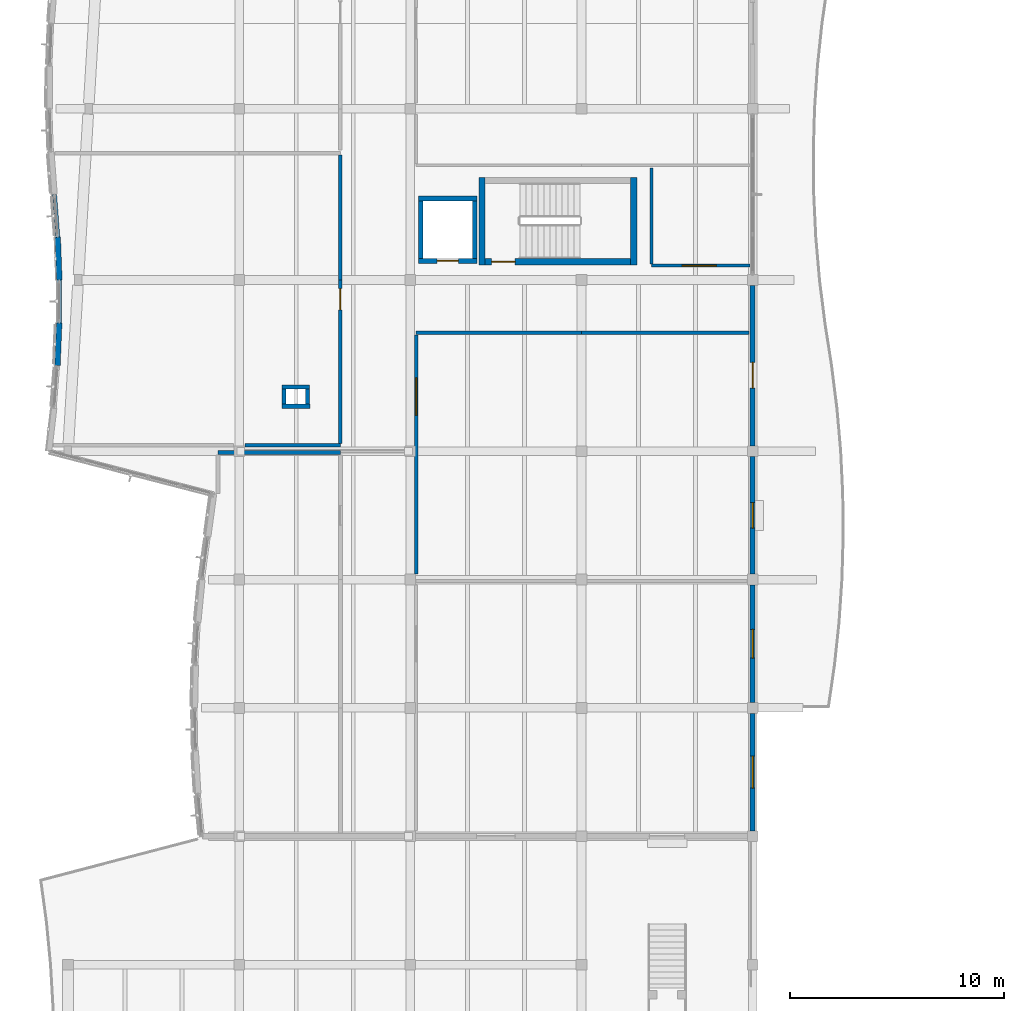
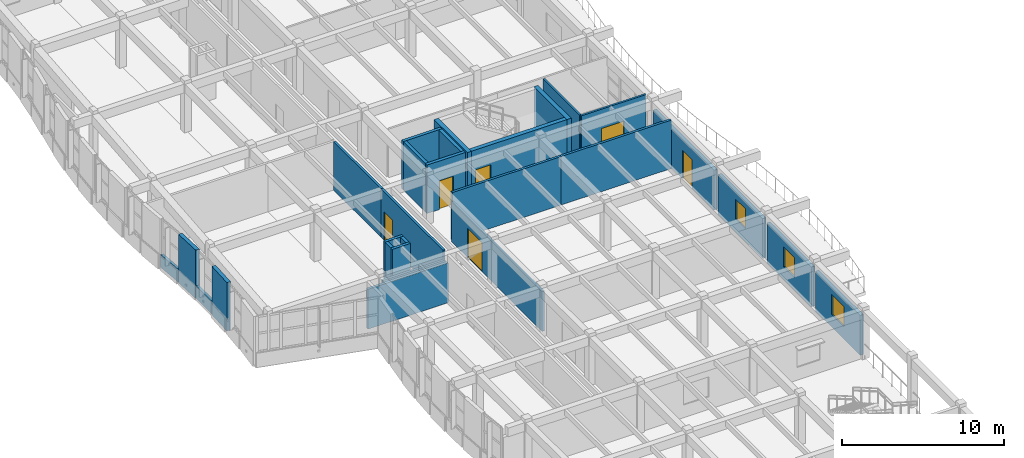
# One storey, part 57 of 89: 28 walls, 6 doors, 3 windows, 9 openings.
"""IFC4 building model written with IfcOpenShell, lengths in metres."""

from ifc_helpers import new_model, si_unit, direction, frame, frame_2d, origin, place, context, subcontext, project, spatial, rectangle, extrude, material, layer, layer_set, type_object, element, fill, save


model = new_model("IFC4")

# Units and contexts
model_context = context("Model", 3, precision=1e-05, world=origin(), true_north=direction((0.0, 1.0)))
body_context = subcontext(model_context, "Body", "Model", "MODEL_VIEW")
ifc_project = project(units=[si_unit("LENGTHUNIT", "METRE"), si_unit("AREAUNIT", "SQUARE_METRE"), si_unit("VOLUMEUNIT", "CUBIC_METRE"), si_unit("PLANEANGLEUNIT", "RADIAN"), si_unit("MASSUNIT", "GRAM", prefix="KILO")], contexts=[model_context])

# Site, building, storey
site_placement = place(None, origin())
site = spatial("IfcSite", under=ifc_project, at=site_placement, CompositionType="ELEMENT")
building_placement = place(site_placement, origin())
building = spatial("IfcBuilding", under=site, at=building_placement, Name="Tonlespit Floodbar School", CompositionType="ELEMENT")
storey_placement = place(building_placement, frame((0.0, 0.0, 4.5)))
storey = spatial("IfcBuildingStorey", under=building, at=storey_placement, Name="L01", CompositionType="ELEMENT", Elevation=4.5)

# Walls
ifc_material_1 = material(Name="Concrete C40/50", Category="concrete")
ifc_layer_1 = layer(ifc_material_1, 0.300048828125)
ifc_layer_set_1 = layer_set([ifc_layer_1], Name="Concrete C40/50")
wall_type_1 = type_object("IfcWallType", Name="CoreWall_RC_300", PredefinedType="SHEAR", material=ifc_layer_set_1)
for number, where, z_axis, x_axis, name in (
    (1, (23.35009765625, 64.699951171875, 0.0), (0.0, 0.0, 1.0), (0.0, 1.0, 0.0), "L01 core C3 shear wall NEAR"),
    (2, (30.449951171875, 68.800048828125, 0.0), (0.0, 0.0, 1.0), (0.0, -1.0, 0.0), "L01 core C3 shear wall FAR"),
):
    element("IfcWall", number, at=place(storey_placement, frame(where, z_axis=z_axis, x_axis=x_axis)), inside=storey, type_object=wall_type_1, Name=name, PredefinedType="SHEAR", context=body_context, shape_type="SweptSolid", body=[
        extrude(rectangle(XDim=4.10009765625, YDim=0.300048828125, at=frame_2d((2.050048828125, 0.0))), origin(), (0.0, 0.0, 1.0), 3.64990234375),
    ])

# Wall, opening, door
wall_1_placement = place(storey_placement, frame((23.5, 64.85009765625, 0.0), z_axis=(0.0, 0.0, 1.0), x_axis=(1.0, 0.0, 0.0)))
wall_1 = element("IfcWall", 3, at=wall_1_placement, inside=storey, type_object=wall_type_1, Name="L01 core C3 shear wall LEFT", PredefinedType="SHEAR", context=body_context, shape_type="SweptSolid", body=[
    extrude(rectangle(XDim=6.800048828125, YDim=0.300048828125, at=frame_2d((3.39990234375, 0.0))), origin(), (0.0, 0.0, 1.0), 3.64990234375),
])
opening_1_placement = place(wall_1_placement, frame((0.300048828125, 0.0, 0.0)))
opening_1 = element("IfcOpeningElement", 4, at=opening_1_placement, cuts=wall_1, Name="Opening FD1-C3-L01", PredefinedType="OPENING", context=body_context, shape_type="SweptSolid", body=[
    extrude(rectangle(XDim=1.10009765625, YDim=2.14990234375, at=frame_2d((0.550048828125, 1.074951171875))), frame((0.0, 0.159912109375, 0.0), z_axis=(0.0, -1.0, 0.0), x_axis=(1.0, 0.0, 0.0)), (0.0, 0.0, 1.0), 0.320068359375),
])
ifc_material_2 = material(Name="Galvanised Steel", Category="steel")
door_type_1 = type_object("IfcDoorType", Name="FireDoor_Stair_1100x2150", OperationType="NOTDEFINED", PredefinedType="DOOR", material=ifc_material_2)
door_1_placement = place(opening_1_placement, origin())
door_1 = element("IfcDoor", 5, at=door_1_placement, inside=storey, type_object=door_type_1, Name="L01 stair ST-C3 fire door", OperationType="SINGLE_SWING_RIGHT", OverallHeight=2.14990234375, OverallWidth=1.10009765625, PredefinedType="DOOR", context=body_context, shape_type="SweptSolid", body=[
    extrude(rectangle(XDim=1.10009765625, YDim=2.14990234375, at=frame_2d((0.550048828125, 1.074951171875))), frame((0.0, 0.02490234375, 0.0), z_axis=(0.0, -1.0, 0.0), x_axis=(1.0, 0.0, 0.0)), (0.0, 0.0, 1.0), 0.050048828125),
])
fill(opening_1, door_1)

ifc_material_3 = material(Name="Precast concrete C40/50", Category="concrete")
ifc_layer_2 = layer(ifc_material_3, 0.239990234375)
ifc_layer_set_2 = layer_set([ifc_layer_2], Name="Precast concrete C40/50")
wall_type_2 = type_object("IfcWallType", Name="ExtWall_Rainscreen_240", PredefinedType="SOLIDWALL", material=ifc_layer_set_2)
wall_2_placement = place(storey_placement, frame((36.0, 63.75, 0.0), z_axis=(0.0, 0.0, 1.0), x_axis=(0.0, -1.0, 0.0)))
wall_2 = element("IfcWall", 6, at=wall_2_placement, inside=storey, type_object=wall_type_2, Name="L01 external wall 0372", PredefinedType="SOLIDWALL", context=body_context, shape_type="SweptSolid", body=[
    extrude(rectangle(XDim=7.5, YDim=0.239990234375, at=frame_2d((3.75, 0.0))), origin(), (0.0, 0.0, 1.0), 3.0),
])
opening_2_placement = place(wall_2_placement, frame((3.60009765625, 0.0, 0.0)))
opening_2 = element("IfcOpeningElement", 7, at=opening_2_placement, cuts=wall_2, Name="Opening D-TR-016", PredefinedType="OPENING", context=body_context, shape_type="SweptSolid", body=[
    extrude(rectangle(XDim=1.199951171875, YDim=2.14990234375, at=frame_2d((0.60009765625, 1.074951171875))), frame((0.0, 0.1298828125, 0.0), z_axis=(0.0, -1.0, 0.0), x_axis=(1.0, 0.0, 0.0)), (0.0, 0.0, 1.0), 0.260009765625),
])
ifc_material_4 = material(Name="Anodised Aluminium", Category="aluminium")
door_type_2 = type_object("IfcDoorType", Name="ExtDoor_Terrace_1200x2150", OperationType="NOTDEFINED", PredefinedType="DOOR", material=ifc_material_4)
door_2_placement = place(opening_2_placement, origin())
door_2 = element("IfcDoor", 8, at=door_2_placement, inside=storey, type_object=door_type_2, Name="L01 exterior door D-TR-016", OperationType="SINGLE_SWING_RIGHT", OverallHeight=2.14990234375, OverallWidth=1.199951171875, PredefinedType="DOOR", context=body_context, shape_type="SweptSolid", body=[
    extrude(rectangle(XDim=1.199951171875, YDim=2.14990234375, at=frame_2d((0.60009765625, 1.074951171875))), frame((0.0, 0.02490234375, 0.0), z_axis=(0.0, -1.0, 0.0), x_axis=(1.0, 0.0, 0.0)), (0.0, 0.0, 1.0), 0.050048828125),
])
fill(opening_2, door_2)

# Wall, opening, window
wall_3_placement = place(storey_placement, frame((36.0, 55.75, 0.0), z_axis=(0.0, 0.0, 1.0), x_axis=(0.0, -1.0, 0.0)))
wall_3 = element("IfcWall", 9, at=wall_3_placement, inside=storey, type_object=wall_type_2, Name="L01 external wall 0373", PredefinedType="SOLIDWALL", context=body_context, shape_type="SweptSolid", body=[
    extrude(rectangle(XDim=5.5, YDim=0.239990234375, at=frame_2d((2.75, 0.0))), origin(), (0.0, 0.0, 1.0), 3.0),
])
opening_3_placement = place(wall_3_placement, frame((2.14990234375, 0.0, 0.949951171875)))
opening_3 = element("IfcOpeningElement", 10, at=opening_3_placement, cuts=wall_3, Name="Opening W-L01-033", PredefinedType="OPENING", context=body_context, shape_type="SweptSolid", body=[
    extrude(rectangle(XDim=1.199951171875, YDim=1.5, at=frame_2d((0.60009765625, 0.75))), frame((0.0, 0.1298828125, 0.0), z_axis=(0.0, -1.0, 0.0), x_axis=(1.0, 0.0, 0.0)), (0.0, 0.0, 1.0), 0.260009765625),
])
ifc_material_5 = material(Name="Tempered Double Glazing", Category="glass")
window_type_1 = type_object("IfcWindowType", Name="Win_Mod_1200x1500", PartitioningType="SINGLE_PANEL", PredefinedType="WINDOW", material=ifc_material_5)
window_1_placement = place(opening_3_placement, origin())
window_1 = element("IfcWindow", 11, at=window_1_placement, inside=storey, type_object=window_type_1, Name="L01 window W-L01-033", OverallHeight=1.5, OverallWidth=1.199951171875, PartitioningType="SINGLE_PANEL", PredefinedType="WINDOW", context=body_context, shape_type="SweptSolid", body=[
    extrude(rectangle(XDim=1.199951171875, YDim=1.5, at=frame_2d((0.60009765625, 0.75))), frame((0.0, 0.030029296875, 0.0), z_axis=(0.0, -1.0, 0.0), x_axis=(1.0, 0.0, 0.0)), (0.0, 0.0, 1.0), 0.06005859375),
])
fill(opening_3, window_1)

wall_4_placement = place(storey_placement, frame((36.0, 49.75, 0.0), z_axis=(0.0, 0.0, 1.0), x_axis=(0.0, -1.0, 0.0)))
wall_4 = element("IfcWall", 12, at=wall_4_placement, inside=storey, type_object=wall_type_2, Name="L01 external wall 0374", PredefinedType="SOLIDWALL", context=body_context, shape_type="SweptSolid", body=[
    extrude(rectangle(XDim=5.5, YDim=0.239990234375, at=frame_2d((2.75, 0.0))), origin(), (0.0, 0.0, 1.0), 3.0),
])
opening_4_placement = place(wall_4_placement, frame((2.074951171875, 0.0, 0.949951171875)))
opening_4 = element("IfcOpeningElement", 13, at=opening_4_placement, cuts=wall_4, Name="Opening W-L01-034", PredefinedType="OPENING", context=body_context, shape_type="SweptSolid", body=[
    extrude(rectangle(XDim=1.35009765625, YDim=1.5, at=frame_2d((0.675048828125, 0.75))), frame((0.0, 0.1298828125, 0.0), z_axis=(0.0, -1.0, 0.0), x_axis=(1.0, 0.0, 0.0)), (0.0, 0.0, 1.0), 0.260009765625),
])
window_type_2 = type_object("IfcWindowType", Name="Win_Mod_1350x1500", PartitioningType="SINGLE_PANEL", PredefinedType="WINDOW", material=ifc_material_5)
window_2_placement = place(opening_4_placement, origin())
window_2 = element("IfcWindow", 14, at=window_2_placement, inside=storey, type_object=window_type_2, Name="L01 window W-L01-034", OverallHeight=1.5, OverallWidth=1.35009765625, PartitioningType="SINGLE_PANEL", PredefinedType="WINDOW", context=body_context, shape_type="SweptSolid", body=[
    extrude(rectangle(XDim=1.35009765625, YDim=1.5, at=frame_2d((0.675048828125, 0.75))), frame((0.0, 0.030029296875, 0.0), z_axis=(0.0, -1.0, 0.0), x_axis=(1.0, 0.0, 0.0)), (0.0, 0.0, 1.0), 0.06005859375),
])
fill(opening_4, window_2)

wall_5_placement = place(storey_placement, frame((36.0, 43.75, 0.0), z_axis=(0.0, 0.0, 1.0), x_axis=(0.0, -1.0, 0.0)))
wall_5 = element("IfcWall", 15, at=wall_5_placement, inside=storey, type_object=wall_type_2, Name="L01 external wall 0375", PredefinedType="SOLIDWALL", context=body_context, shape_type="SweptSolid", body=[
    extrude(rectangle(XDim=5.5, YDim=0.239990234375, at=frame_2d((2.75, 0.0))), origin(), (0.0, 0.0, 1.0), 2.998046875),
])
opening_5_placement = place(wall_5_placement, frame((2.0, 0.0, 0.949951171875)))
opening_5 = element("IfcOpeningElement", 16, at=opening_5_placement, cuts=wall_5, Name="Opening W-L01-035", PredefinedType="OPENING", context=body_context, shape_type="SweptSolid", body=[
    extrude(rectangle(XDim=1.5, YDim=1.5, at=frame_2d((0.75, 0.75))), frame((0.0, 0.1298828125, 0.0), z_axis=(0.0, -1.0, 0.0), x_axis=(1.0, 0.0, 0.0)), (0.0, 0.0, 1.0), 0.260009765625),
])
window_type_3 = type_object("IfcWindowType", Name="Win_Mod_1500x1500", PartitioningType="SINGLE_PANEL", PredefinedType="WINDOW", material=ifc_material_5)
window_3_placement = place(opening_5_placement, origin())
window_3 = element("IfcWindow", 17, at=window_3_placement, inside=storey, type_object=window_type_3, Name="L01 window W-L01-035", OverallHeight=1.5, OverallWidth=1.5, PartitioningType="SINGLE_PANEL", PredefinedType="WINDOW", context=body_context, shape_type="SweptSolid", body=[
    extrude(rectangle(XDim=1.5, YDim=1.5, at=frame_2d((0.75, 0.75))), frame((0.0, 0.030029296875, 0.0), z_axis=(0.0, -1.0, 0.0), x_axis=(1.0, 0.0, 0.0)), (0.0, 0.0, 1.0), 0.06005859375),
])
fill(opening_5, window_3)

# Walls
ifc_layer_3 = layer(ifc_material_3, 0.260009765625)
ifc_layer_set_3 = layer_set([ifc_layer_3], Name="Precast concrete C40/50")
wall_type_3 = type_object("IfcWallType", Name="ExtWall_Rainscreen_260", PredefinedType="SOLIDWALL", material=ifc_layer_set_3)
wall_6_placement = place(storey_placement, frame((3.509033203125, 60.0, 0.0), z_axis=(0.0, 0.0, 1.0), x_axis=(0.040737639062, 0.99916987783, 0.0)))
element("IfcWall", 18, at=wall_6_placement, inside=storey, type_object=wall_type_3, Name="L01 external wall 0346", PredefinedType="SOLIDWALL", context=body_context, shape_type="SweptSolid", body=[
    extrude(rectangle(XDim=2.001708984375, YDim=0.260009765625, at=frame_2d((1.0009765625, 0.0))), origin(), (0.0, 0.0, 1.0), 3.64990234375),
])
wall_7_placement = place(storey_placement, frame((3.594970703125, 64.0, 0.0), z_axis=(0.0, 0.0, 1.0), x_axis=(-0.036596562065, 0.999330121454, 0.0)))
element("IfcWall", 19, at=wall_7_placement, inside=storey, type_object=wall_type_3, Name="L01 external wall 0348", PredefinedType="SOLIDWALL", context=body_context, shape_type="SweptSolid", body=[
    extrude(rectangle(XDim=2.001220703125, YDim=0.260009765625, at=frame_2d((1.00048828125, 0.0))), origin(), (0.0, 0.0, 1.0), 3.64990234375),
])
ifc_material_6 = material(Name="White Architectural Precast concrete C40/50", Category="concrete")
ifc_layer_4 = layer(ifc_material_6, 0.199951171875)
ifc_layer_set_4 = layer_set([ifc_layer_4], Name="White Architectural Precast concrete C40/50")
wall_type_4 = type_object("IfcWallType", Name="ExtWall_Spandrel_White_200", PredefinedType="SOLIDWALL", material=ifc_layer_set_4)
wall_8_placement = place(storey_placement, frame((3.590576171875, 62.0, 0.0), z_axis=(0.0, 0.0, 1.0), x_axis=(0.002197260321, 0.999997586021, 0.0)))
element("IfcWall", 20, at=wall_8_placement, inside=storey, type_object=wall_type_4, Name="L01 spandrel wall 0347", PredefinedType="SOLIDWALL", context=body_context, shape_type="SweptSolid", body=[
    extrude(rectangle(XDim=2.0, YDim=0.199951171875, at=frame_2d((1.0, 0.0))), origin(), (0.0, 0.0, 1.0), 0.949951171875),
])
wall_9_placement = place(storey_placement, frame((3.521728515625, 66.0, 0.0), z_axis=(0.0, 0.0, 1.0), x_axis=(-0.075588789742, 0.997139074987, 0.0)))
element("IfcWall", 21, at=wall_9_placement, inside=storey, type_object=wall_type_4, Name="L01 spandrel wall 0349", PredefinedType="SOLIDWALL", context=body_context, shape_type="SweptSolid", body=[
    extrude(rectangle(XDim=2.005859375, YDim=0.199951171875, at=frame_2d((1.0029296875, 0.0))), origin(), (0.0, 0.0, 1.0), 0.949951171875),
])
ifc_material_7 = material(Name="Gypsum Plasterboard Partition")
ifc_layer_5 = layer(ifc_material_7, 0.159912109375)
ifc_layer_set_5 = layer_set([ifc_layer_5], Name="Gypsum Plasterboard Partition")
wall_type_5 = type_object("IfcWallType", Name="FireWall_Lab_160", PredefinedType="PARTITIONING", material=ifc_layer_set_5)
wall_10_placement = place(storey_placement, frame((12.264892578125, 56.27001953125, 0.0), z_axis=(0.0, 0.0, 1.0), x_axis=(1.0, 0.0, 0.0)))
element("IfcWall", 22, at=wall_10_placement, inside=storey, type_object=wall_type_5, Name="L01 partition wall 0185", PredefinedType="PARTITIONING", context=body_context, shape_type="SweptSolid", body=[
    extrude(rectangle(XDim=4.465087890625, YDim=0.159912109375, at=frame_2d((2.232421875, 0.0))), origin(), (0.0, 0.0, 1.0), 3.0),
])

# Wall, opening, door
wall_11_placement = place(storey_placement, frame((16.72998046875, 56.364990234375, 0.0), z_axis=(0.0, 0.0, 1.0), x_axis=(0.0, 1.0, 0.0)))
wall_11 = element("IfcWall", 23, at=wall_11_placement, inside=storey, type_object=wall_type_5, Name="L01 partition wall 0188", PredefinedType="PARTITIONING", context=body_context, shape_type="SweptSolid", body=[
    extrude(rectangle(XDim=7.635009765625, YDim=0.159912109375, at=frame_2d((3.8173828125, 0.0))), origin(), (0.0, 0.0, 1.0), 3.64990234375),
])
opening_6_placement = place(wall_11_placement, frame((6.235107421875, 0.0, 0.0)))
opening_6 = element("IfcOpeningElement", 24, at=opening_6_placement, cuts=wall_11, Name="Opening D-L01-056", PredefinedType="OPENING", context=body_context, shape_type="SweptSolid", body=[
    extrude(rectangle(XDim=1.0, YDim=2.14990234375, at=frame_2d((0.5, 1.074951171875))), frame((0.0, 0.08984375, 0.0), z_axis=(0.0, -1.0, 0.0), x_axis=(1.0, 0.0, 0.0)), (0.0, 0.0, 1.0), 0.179931640625),
])
ifc_material_8 = material(Name="Hardwood Timber", Category="wood")
door_type_3 = type_object("IfcDoorType", Name="FireDoor_Compartment_1000x2150", OperationType="NOTDEFINED", PredefinedType="DOOR", material=ifc_material_8)
door_3_placement = place(opening_6_placement, origin())
door_3 = element("IfcDoor", 25, at=door_3_placement, inside=storey, type_object=door_type_3, Name="L01 interior door D-L01-056", OperationType="SINGLE_SWING_LEFT", OverallHeight=2.14990234375, OverallWidth=1.0, PredefinedType="DOOR", context=body_context, shape_type="SweptSolid", body=[
    extrude(rectangle(XDim=1.0, YDim=2.14990234375, at=frame_2d((0.5, 1.074951171875))), frame((0.0, 0.02490234375, 0.0), z_axis=(0.0, -1.0, 0.0), x_axis=(1.0, 0.0, 0.0)), (0.0, 0.0, 1.0), 0.050048828125),
])
fill(opening_6, door_3)

# Walls
wall_12_placement = place(storey_placement, frame((16.72998046875, 64.0, 0.0), z_axis=(0.0, 0.0, 1.0), x_axis=(0.0, 1.0, 0.0)))
element("IfcWall", 26, at=wall_12_placement, inside=storey, type_object=wall_type_5, Name="L01 partition wall 0189", PredefinedType="PARTITIONING", context=body_context, shape_type="SweptSolid", body=[
    extrude(rectangle(XDim=5.8349609375, YDim=0.159912109375, at=frame_2d((2.91748046875, 0.0))), origin(), (0.0, 0.0, 1.0), 3.64990234375),
])
ifc_layer_6 = layer(ifc_material_1, 0.199951171875)
ifc_layer_set_6 = layer_set([ifc_layer_6], Name="Concrete C40/50")
wall_type_6 = type_object("IfcWallType", Name="FireWall_Plant_200", PredefinedType="PARTITIONING", material=ifc_layer_set_6)
for number, where, z_axis, x_axis, name in (
    (27, (15.300048828125, 58.10009765625, 0.0), (0.0, 0.0, 1.0), (-1.0, 0.0, 0.0), "L01 service riser 03 wall S"),
    (28, (14.0, 59.0, 0.0), (0.0, 0.0, 1.0), (1.0, 0.0, 0.0), "L01 service riser 03 wall N"),
):
    element("IfcWall", number, at=place(storey_placement, frame(where, z_axis=z_axis, x_axis=x_axis)), inside=storey, type_object=wall_type_6, Name=name, PredefinedType="PARTITIONING", context=body_context, shape_type="SweptSolid", body=[
        extrude(rectangle(XDim=1.300048828125, YDim=0.199951171875, at=frame_2d((0.64990234375, 0.0))), origin(), (0.0, 0.0, 1.0), 3.64990234375),
    ])
for number, where, z_axis, x_axis, name in (
    (29, (14.10009765625, 58.199951171875, 0.0), (0.0, 0.0, 1.0), (0.0, 1.0, 0.0), "L01 service riser 03 wall W"),
    (30, (15.199951171875, 58.89990234375, 0.0), (0.0, 0.0, 1.0), (0.0, -1.0, 0.0), "L01 service riser 03 wall E"),
):
    element("IfcWall", number, at=place(storey_placement, frame(where, z_axis=z_axis, x_axis=x_axis)), inside=storey, type_object=wall_type_6, Name=name, PredefinedType="PARTITIONING", context=body_context, shape_type="SweptSolid", body=[
        extrude(rectangle(XDim=0.699951171875, YDim=0.199951171875, at=frame_2d((0.35009765625, 0.0))), origin(), (0.0, 0.0, 1.0), 3.64990234375),
    ])

# Wall, opening, door
ifc_layer_7 = layer(ifc_material_7, 0.139892578125)
ifc_layer_set_7 = layer_set([ifc_layer_7], Name="Gypsum Plasterboard Partition")
wall_type_7 = type_object("IfcWallType", Name="Partition_Gyp_140", PredefinedType="PARTITIONING", material=ifc_layer_set_7)
wall_13_placement = place(storey_placement, frame((31.27001953125, 64.669921875, 0.0), z_axis=(0.0, 0.0, 1.0), x_axis=(1.0, 0.0, 0.0)))
wall_13 = element("IfcWall", 31, at=wall_13_placement, inside=storey, type_object=wall_type_7, Name="L01 partition wall 0206", PredefinedType="PARTITIONING", context=body_context, shape_type="SweptSolid", body=[
    extrude(rectangle(XDim=4.595458984375, YDim=0.139892578125, at=frame_2d((2.2978515625, 0.0))), origin(), (0.0, 0.0, 1.0), 3.64990234375),
])
opening_7_placement = place(wall_13_placement, frame((1.429931640625, 0.0, 0.0)))
opening_7 = element("IfcOpeningElement", 32, at=opening_7_placement, cuts=wall_13, Name="Opening D-L01-061", PredefinedType="OPENING", context=body_context, shape_type="SweptSolid", body=[
    extrude(rectangle(XDim=1.60009765625, YDim=2.199951171875, at=frame_2d((0.800048828125, 1.10009765625))), frame((0.0, 0.079833984375, 0.0), z_axis=(0.0, -1.0, 0.0), x_axis=(1.0, 0.0, 0.0)), (0.0, 0.0, 1.0), 0.159912109375),
])
door_type_4 = type_object("IfcDoorType", Name="IntDoor_1600x2200", OperationType="NOTDEFINED", PredefinedType="DOOR", material=ifc_material_8)
door_4_placement = place(opening_7_placement, origin())
door_4 = element("IfcDoor", 33, at=door_4_placement, inside=storey, type_object=door_type_4, Name="L01 interior door D-L01-061", OperationType="SINGLE_SWING_RIGHT", OverallHeight=2.199951171875, OverallWidth=1.60009765625, PredefinedType="DOOR", context=body_context, shape_type="SweptSolid", body=[
    extrude(rectangle(XDim=1.60009765625, YDim=2.199951171875, at=frame_2d((0.800048828125, 1.10009765625))), frame((0.0, 0.02490234375, 0.0), z_axis=(0.0, -1.0, 0.0), x_axis=(1.0, 0.0, 0.0)), (0.0, 0.0, 1.0), 0.050048828125),
])
fill(opening_7, door_4)

# Walls
wall_14_placement = place(storey_placement, frame((31.27001953125, 64.7548828125, 0.0), z_axis=(0.0, 0.0, 1.0), x_axis=(0.0, 1.0, 0.0)))
element("IfcWall", 34, at=wall_14_placement, inside=storey, type_object=wall_type_7, Name="L01 partition wall 0207", PredefinedType="PARTITIONING", context=body_context, shape_type="SweptSolid", body=[
    extrude(rectangle(XDim=4.47509765625, YDim=0.139892578125, at=frame_2d((2.237548828125, 0.0))), origin(), (0.0, 0.0, 1.0), 3.64990234375),
])
ifc_layer_8 = layer(ifc_material_7, 0.169921875)
ifc_layer_set_8 = layer_set([ifc_layer_8], Name="Gypsum Plasterboard Partition")
wall_type_8 = type_object("IfcWallType", Name="Partition_Gyp_170", PredefinedType="PARTITIONING", material=ifc_layer_set_8)
wall_15_placement = place(storey_placement, frame((20.27001953125, 61.530029296875, 0.0), z_axis=(0.0, 0.0, 1.0), x_axis=(1.0, 0.0, 0.0)))
element("IfcWall", 35, at=wall_15_placement, inside=storey, type_object=wall_type_8, Name="L01 partition wall 0211", PredefinedType="PARTITIONING", context=body_context, shape_type="SweptSolid", body=[
    extrude(rectangle(XDim=7.72998046875, YDim=0.169921875, at=frame_2d((3.864990234375, 0.0))), origin(), (0.0, 0.0, 1.0), 3.64990234375),
])
wall_16_placement = place(storey_placement, frame((28.0, 61.530029296875, 0.0), z_axis=(0.0, 0.0, 1.0), x_axis=(1.0, 0.0, 0.0)))
element("IfcWall", 36, at=wall_16_placement, inside=storey, type_object=wall_type_8, Name="L01 partition wall 0212", PredefinedType="PARTITIONING", context=body_context, shape_type="SweptSolid", body=[
    extrude(rectangle(XDim=7.837890625, YDim=0.169921875, at=frame_2d((3.9189453125, 0.0))), origin(), (0.0, 0.0, 1.0), 3.64990234375),
])

# Wall, opening, door
wall_17_placement = place(storey_placement, frame((20.27001953125, 50.264892578125, 0.0), z_axis=(0.0, 0.0, 1.0), x_axis=(0.0, 1.0, 0.0)))
wall_17 = element("IfcWall", 37, at=wall_17_placement, inside=storey, type_object=wall_type_8, Name="L01 partition wall 0213", PredefinedType="PARTITIONING", context=body_context, shape_type="SweptSolid", body=[
    extrude(rectangle(XDim=11.1650390625, YDim=0.169921875, at=frame_2d((5.58251953125, 0.0))), origin(), (0.0, 0.0, 1.0), 3.0),
])
opening_8_placement = place(wall_17_placement, frame((7.405029296875, 0.0, 0.0)))
opening_8 = element("IfcOpeningElement", 38, at=opening_8_placement, cuts=wall_17, Name="Opening D-L01-063", PredefinedType="OPENING", context=body_context, shape_type="SweptSolid", body=[
    extrude(rectangle(XDim=1.760009765625, YDim=2.199951171875, at=frame_2d((0.8798828125, 1.10009765625))), frame((0.0, 0.094970703125, 0.0), z_axis=(0.0, -1.0, 0.0), x_axis=(1.0, 0.0, 0.0)), (0.0, 0.0, 1.0), 0.18994140625),
])
door_type_5 = type_object("IfcDoorType", Name="IntDoor_1760x2200", OperationType="NOTDEFINED", PredefinedType="DOOR", material=ifc_material_8)
door_5_placement = place(opening_8_placement, origin())
door_5 = element("IfcDoor", 39, at=door_5_placement, inside=storey, type_object=door_type_5, Name="L01 interior door D-L01-063", OperationType="SINGLE_SWING_RIGHT", OverallHeight=2.199951171875, OverallWidth=1.760009765625, PredefinedType="DOOR", context=body_context, shape_type="SweptSolid", body=[
    extrude(rectangle(XDim=1.760009765625, YDim=2.199951171875, at=frame_2d((0.8798828125, 1.10009765625))), frame((0.0, 0.02490234375, 0.0), z_axis=(0.0, -1.0, 0.0), x_axis=(1.0, 0.0, 0.0)), (0.0, 0.0, 1.0), 0.050048828125),
])
fill(opening_8, door_5)

# Wall
ifc_layer_9 = layer(ifc_material_7, 0.18505859375)
ifc_layer_set_9 = layer_set([ifc_layer_9], Name="Gypsum Plasterboard Partition")
wall_type_9 = type_object("IfcWallType", Name="Partition_Gyp_185", PredefinedType="PARTITIONING", material=ifc_layer_set_9)
wall_18_placement = place(storey_placement, frame((11.0048828125, 55.929931640625, 0.0), z_axis=(0.0, 0.0, 1.0), x_axis=(1.0, 0.0, 0.0)))
element("IfcWall", 40, at=wall_18_placement, inside=storey, type_object=wall_type_9, Name="L01 partition wall 0214", PredefinedType="PARTITIONING", context=body_context, shape_type="SweptSolid", body=[
    extrude(rectangle(XDim=5.72509765625, YDim=0.18505859375, at=frame_2d((2.862548828125, 0.0))), origin(), (0.0, 0.0, 1.0), 3.0),
])

# Wall, opening, door
ifc_layer_10 = layer(ifc_material_1, 0.219970703125)
ifc_layer_set_10 = layer_set([ifc_layer_10], Name="Concrete C40/50")
wall_type_10 = type_object("IfcWallType", Name="ShaftWall_RC_220", PredefinedType="SHEAR", material=ifc_layer_set_10)
wall_19_placement = place(storey_placement, frame((23.1201171875, 64.889892578125, 0.0), z_axis=(0.0, 0.0, 1.0), x_axis=(-1.0, 0.0, 0.0)))
wall_19 = element("IfcWall", 41, at=wall_19_placement, inside=storey, type_object=wall_type_10, Name="L01 lift LG-1 shaft wall S", PredefinedType="SHEAR", context=body_context, shape_type="SweptSolid", body=[
    extrude(rectangle(XDim=2.740234375, YDim=0.219970703125, at=frame_2d((1.3701171875, 0.0))), origin(), (0.0, 0.0, 1.0), 3.64990234375),
])
opening_9_placement = place(wall_19_placement, frame((0.8701171875, 0.0, 0.0)))
opening_9 = element("IfcOpeningElement", 42, at=opening_9_placement, cuts=wall_19, Name="Opening LD-LG-1-L01", PredefinedType="OPENING", context=body_context, shape_type="SweptSolid", body=[
    extrude(rectangle(XDim=1.0, YDim=2.14990234375, at=frame_2d((0.5, 1.074951171875))), frame((0.0, 0.119873046875, 0.0), z_axis=(0.0, -1.0, 0.0), x_axis=(1.0, 0.0, 0.0)), (0.0, 0.0, 1.0), 0.239990234375),
])
door_type_6 = type_object("IfcDoorType", Name="LiftDoor_Pass_1000x2150", OperationType="DOUBLE_DOOR_SLIDING", PredefinedType="DOOR", material=ifc_material_4)
door_6_placement = place(opening_9_placement, origin())
door_6 = element("IfcDoor", 43, at=door_6_placement, inside=storey, type_object=door_type_6, Name="L01 lift LG-1 sliding landing door", OperationType="DOUBLE_DOOR_SLIDING", OverallHeight=2.14990234375, OverallWidth=1.0, PredefinedType="DOOR", context=body_context, shape_type="SweptSolid", body=[
    extrude(rectangle(XDim=1.0, YDim=2.14990234375, at=frame_2d((0.5, 1.074951171875))), frame((0.0, 0.02490234375, 0.0), z_axis=(0.0, -1.0, 0.0), x_axis=(1.0, 0.0, 0.0)), (0.0, 0.0, 1.0), 0.050048828125),
])
fill(opening_9, door_6)

# Walls
wall_20_placement = place(storey_placement, frame((20.3798828125, 67.81005859375, 0.0), z_axis=(0.0, 0.0, 1.0), x_axis=(1.0, 0.0, 0.0)))
element("IfcWall", 44, at=wall_20_placement, inside=storey, type_object=wall_type_10, Name="L01 lift LG-1 shaft wall N", PredefinedType="SHEAR", context=body_context, shape_type="SweptSolid", body=[
    extrude(rectangle(XDim=2.740234375, YDim=0.219970703125, at=frame_2d((1.3701171875, 0.0))), origin(), (0.0, 0.0, 1.0), 3.64990234375),
])
for number, where, z_axis, x_axis, name in (
    (45, (20.489990234375, 65.0, 0.0), (0.0, 0.0, 1.0), (0.0, 1.0, 0.0), "L01 lift LG-1 shaft wall W"),
    (46, (23.010009765625, 67.699951171875, 0.0), (0.0, 0.0, 1.0), (0.0, -1.0, 0.0), "L01 lift LG-1 shaft wall E"),
):
    element("IfcWall", number, at=place(storey_placement, frame(where, z_axis=z_axis, x_axis=x_axis)), inside=storey, type_object=wall_type_10, Name=name, PredefinedType="SHEAR", context=body_context, shape_type="SweptSolid", body=[
        extrude(rectangle(XDim=2.699951171875, YDim=0.219970703125, at=frame_2d((1.35009765625, 0.0))), origin(), (0.0, 0.0, 1.0), 3.64990234375),
    ])

save(model, "model.ifc")
